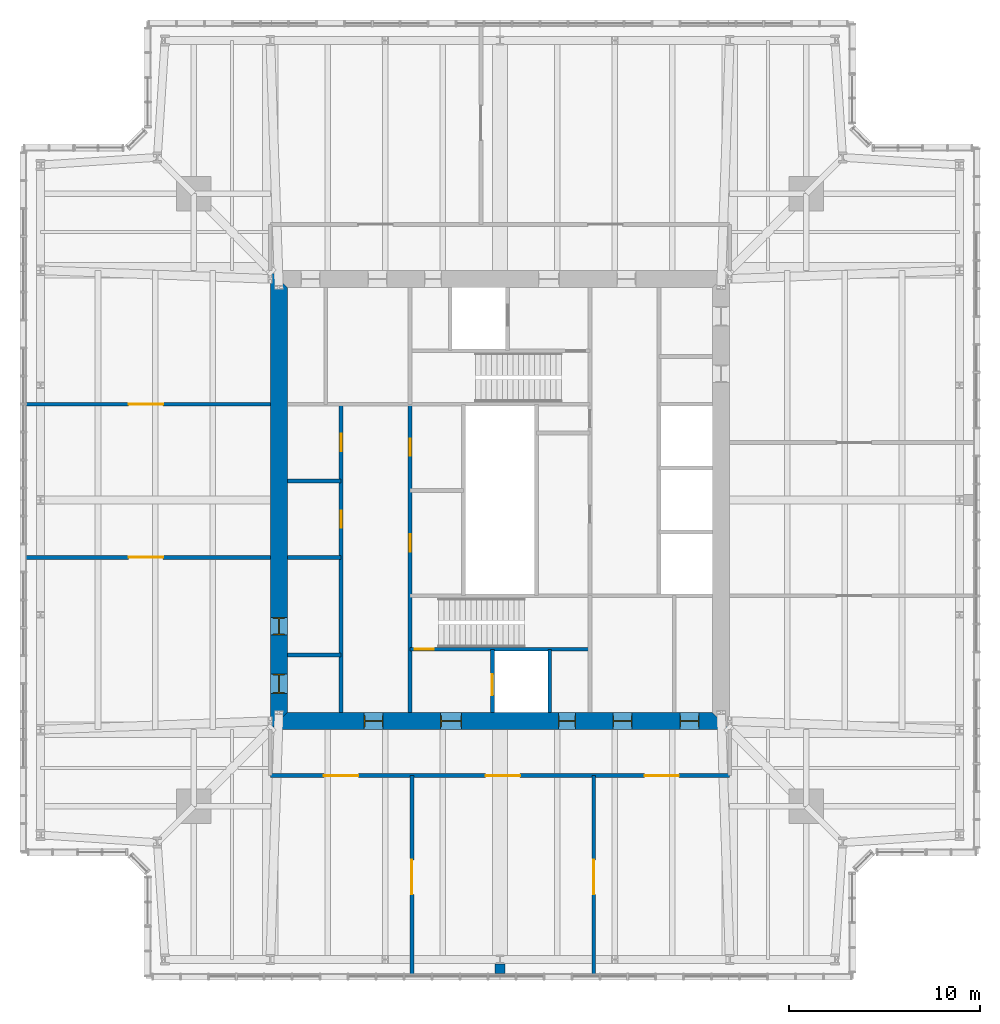
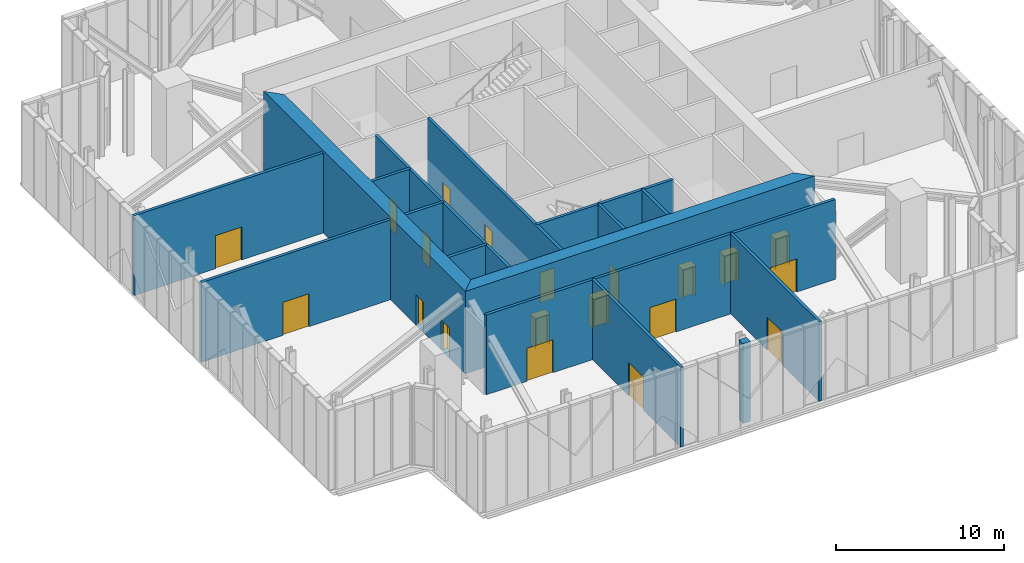
# One storey, part 11 of 18: 20 doors, 16 walls, 20 openings.
"""IFC4 building model written with IfcOpenShell, lengths in metres."""

from ifc_helpers import new_model, si_unit, direction, frame, frame_2d, origin, place, context, subcontext, project, spatial, polyline, rectangle, outline, extrude, material, layer, layer_set, type_object, element, fill, save


model = new_model("IFC4")

# Units and contexts
model_context = context("Model", 3, precision=1e-05, world=origin(), true_north=direction((0.0, 1.0)))
body_context = subcontext(model_context, "Body", "Model", "MODEL_VIEW")
ifc_project = project(units=[si_unit("LENGTHUNIT", "METRE"), si_unit("AREAUNIT", "SQUARE_METRE"), si_unit("VOLUMEUNIT", "CUBIC_METRE"), si_unit("PLANEANGLEUNIT", "RADIAN"), si_unit("MASSUNIT", "GRAM", prefix="KILO")], contexts=[model_context])

# Site, building, storey
site_placement = place(None, origin())
site = spatial("IfcSite", under=ifc_project, at=site_placement, CompositionType="ELEMENT")
building_placement = place(site_placement, origin())
building = spatial("IfcBuilding", under=site, at=building_placement, Name="Fenwick Lantern Interchange", CompositionType="ELEMENT")
storey_placement = place(building_placement, frame((0.0, 0.0, 301.800048828125)))
storey = spatial("IfcBuildingStorey", under=building, at=storey_placement, Name="L73", CompositionType="ELEMENT", Elevation=301.800048828125)

# Wall
ifc_material_1 = material(Name="Fire-rated gypsum board encasement on steel studs, 2 hour", Category="steel")
ifc_layer_1 = layer(ifc_material_1, 0.52392578125)
ifc_layer_set_1 = layer_set([ifc_layer_1], Name="COLUMN PIER 524")
wall_type_1 = type_object("IfcWallType", Name="COLUMN PIER 524", PredefinedType="PARTITIONING", material=ifc_layer_set_1)
wall_1_placement = place(storey_placement, frame((25.0, 0.27490234375, 0.0), z_axis=(0.0, 0.0, 1.0), x_axis=(0.0, 1.0, 0.0)))
element("IfcWall", 1, at=wall_1_placement, inside=storey, type_object=wall_type_1, Name="L73/W/PIER/CS3", PredefinedType="PARTITIONING", context=body_context, shape_type="SweptSolid", body=[
    extrude(rectangle(XDim=0.487548828125, YDim=0.52392578125, at=frame_2d((0.24365234375, 0.0))), origin(), (0.0, 0.0, 1.0), 5.800048828125),
])

# Wall, openings, doors
ifc_material_2 = material(Name="Concrete masonry ASTM C90 Grade N", Category="masonry")
ifc_layer_2 = layer(ifc_material_2, 0.199951171875)
ifc_layer_set_2 = layer_set([ifc_layer_2], Name="Concrete masonry ASTM C90 Grade N")
wall_type_2 = type_object("IfcWallType", Name="CORE PARTITION 200", PredefinedType="PARTITIONING", material=ifc_layer_set_2)
wall_2_placement = place(storey_placement, frame((16.699951171875, 13.89990234375, 0.0), z_axis=(0.0, 0.0, 1.0), x_axis=(0.0, 1.0, 0.0)))
wall_2 = element("IfcWall", 2, at=wall_2_placement, inside=storey, type_object=wall_type_2, Name="L73/W/CORES/a", PredefinedType="PARTITIONING", context=body_context, shape_type="SweptSolid", body=[
    extrude(rectangle(XDim=16.10009765625, YDim=0.199951171875, at=frame_2d((8.050048828125, 0.0))), origin(), (0.0, 0.0, 1.0), 5.800048828125),
])
opening_1_placement = place(wall_2_placement, frame((9.64990234375, 0.0, 0.0)))
opening_1 = element("IfcOpeningElement", 3, at=opening_1_placement, cuts=wall_2, Name="Opening L73-D009", PredefinedType="OPENING", context=body_context, shape_type="SweptSolid", body=[
    extrude(rectangle(XDim=0.89990234375, YDim=2.199951171875, at=frame_2d((0.449951171875, 1.10009765625))), frame((0.0, 0.10986328125, 0.0), z_axis=(0.0, -1.0, 0.0), x_axis=(1.0, 0.0, 0.0)), (0.0, 0.0, 1.0), 0.219970703125),
])
opening_2_placement = place(wall_2_placement, frame((13.64990234375, 0.0, 0.0)))
opening_2 = element("IfcOpeningElement", 4, at=opening_2_placement, cuts=wall_2, Name="Opening L73-D010", PredefinedType="OPENING", context=body_context, shape_type="SweptSolid", body=[
    extrude(rectangle(XDim=0.89990234375, YDim=2.199951171875, at=frame_2d((0.449951171875, 1.10009765625))), frame((0.0, 0.10986328125, 0.0), z_axis=(0.0, -1.0, 0.0), x_axis=(1.0, 0.0, 0.0)), (0.0, 0.0, 1.0), 0.219970703125),
])
ifc_material_3 = material(Name="Steel door and frame", Category="steel")
door_type_1 = type_object("IfcDoorType", Name="SERVICE DOOR 900 X 2200", OperationType="SINGLE_SWING_LEFT", PredefinedType="DOOR", material=ifc_material_3)
door_1_placement = place(opening_1_placement, origin())
door_1 = element("IfcDoor", 5, at=door_1_placement, inside=storey, type_object=door_type_1, Name="Service door", OperationType="SINGLE_SWING_LEFT", OverallHeight=2.199951171875, OverallWidth=0.89990234375, PredefinedType="DOOR", context=body_context, shape_type="SweptSolid", body=[
    extrude(rectangle(XDim=0.89990234375, YDim=2.199951171875, at=frame_2d((0.449951171875, 1.10009765625))), frame((0.0, 0.02490234375, 0.0), z_axis=(0.0, -1.0, 0.0), x_axis=(1.0, 0.0, 0.0)), (0.0, 0.0, 1.0), 0.050048828125),
])
fill(opening_1, door_1)
door_2_placement = place(opening_2_placement, origin())
door_2 = element("IfcDoor", 6, at=door_2_placement, inside=storey, type_object=door_type_1, Name="Service door", OperationType="SINGLE_SWING_LEFT", OverallHeight=2.199951171875, OverallWidth=0.89990234375, PredefinedType="DOOR", context=body_context, shape_type="SweptSolid", body=[
    extrude(rectangle(XDim=0.89990234375, YDim=2.199951171875, at=frame_2d((0.449951171875, 1.10009765625))), frame((0.0, 0.02490234375, 0.0), z_axis=(0.0, -1.0, 0.0), x_axis=(1.0, 0.0, 0.0)), (0.0, 0.0, 1.0), 0.050048828125),
])
fill(opening_2, door_2)

# Wall, opening, door
wall_3_placement = place(storey_placement, frame((24.60009765625, 13.89990234375, 0.0), z_axis=(0.0, 0.0, 1.0), x_axis=(0.0, 1.0, 0.0)))
wall_3 = element("IfcWall", 7, at=wall_3_placement, inside=storey, type_object=wall_type_2, Name="L73/W/CORES/h1", PredefinedType="PARTITIONING", context=body_context, shape_type="SweptSolid", body=[
    extrude(rectangle(XDim=3.300048828125, YDim=0.199951171875, at=frame_2d((1.64990234375, 0.0))), origin(), (0.0, 0.0, 1.0), 5.800048828125),
])
opening_3_placement = place(wall_3_placement, frame((0.89990234375, 0.0, 0.0)))
opening_3 = element("IfcOpeningElement", 8, at=opening_3_placement, cuts=wall_3, Name="Opening LD-FL1", PredefinedType="OPENING", context=body_context, shape_type="SweptSolid", body=[
    extrude(rectangle(XDim=1.10009765625, YDim=2.199951171875, at=frame_2d((0.550048828125, 1.10009765625))), frame((0.0, 0.10986328125, 0.0), z_axis=(0.0, -1.0, 0.0), x_axis=(1.0, 0.0, 0.0)), (0.0, 0.0, 1.0), 0.219970703125),
])
door_type_2 = type_object("IfcDoorType", Name="LIFT LANDING DOOR 1100 X 2200", OperationType="DOUBLE_DOOR_SLIDING", PredefinedType="DOOR", material=ifc_material_3)
door_3_placement = place(opening_3_placement, origin())
door_3 = element("IfcDoor", 9, at=door_3_placement, inside=storey, type_object=door_type_2, Name="Lift landing door FL1", OperationType="DOUBLE_DOOR_SLIDING", OverallHeight=2.199951171875, OverallWidth=1.10009765625, PredefinedType="DOOR", context=body_context, shape_type="SweptSolid", body=[
    extrude(rectangle(XDim=1.10009765625, YDim=2.199951171875, at=frame_2d((0.550048828125, 1.10009765625))), frame((0.0, 0.02490234375, 0.0), z_axis=(0.0, -1.0, 0.0), x_axis=(1.0, 0.0, 0.0)), (0.0, 0.0, 1.0), 0.050048828125),
])
fill(opening_3, door_3)

# Walls
wall_4_placement = place(storey_placement, frame((27.60009765625, 13.89990234375, 0.0), z_axis=(0.0, 0.0, 1.0), x_axis=(0.0, 1.0, 0.0)))
element("IfcWall", 10, at=wall_4_placement, inside=storey, type_object=wall_type_2, Name="L73/W/CORES/h2", PredefinedType="PARTITIONING", context=body_context, shape_type="SweptSolid", body=[
    extrude(rectangle(XDim=3.300048828125, YDim=0.199951171875, at=frame_2d((1.64990234375, 0.0))), origin(), (0.0, 0.0, 1.0), 5.800048828125),
])
for number, where, z_axis, x_axis, name in (
    (11, (13.89990234375, 16.89990234375, 0.0), (0.0, 0.0, 1.0), (1.0, 0.0, 0.0), "L73/W/CORES/p1"),
    (12, (13.89990234375, 22.0, 0.0), (0.0, 0.0, 1.0), (1.0, 0.0, 0.0), "L73/W/CORES/p2"),
    (13, (13.89990234375, 26.0, 0.0), (0.0, 0.0, 1.0), (1.0, 0.0, 0.0), "L73/W/CORES/p3"),
):
    element("IfcWall", number, at=place(storey_placement, frame(where, z_axis=z_axis, x_axis=x_axis)), inside=storey, type_object=wall_type_2, Name=name, PredefinedType="PARTITIONING", context=body_context, shape_type="SweptSolid", body=[
        extrude(rectangle(XDim=2.800048828125, YDim=0.199951171875, at=frame_2d((1.39990234375, 0.0))), origin(), (0.0, 0.0, 1.0), 5.800048828125),
    ])

# Wall, openings, doors
ifc_material_4 = material(Name="Concrete f'c 70 MPa", Category="concrete")
ifc_layer_3 = layer(ifc_material_4, 0.89990234375)
ifc_layer_set_3 = layer_set([ifc_layer_3], Name="CORE WALL 900")
wall_type_3 = type_object("IfcWallType", Name="CORE WALL 900", PredefinedType="SHEAR", material=ifc_layer_set_3)
wall_5_placement = place(storey_placement, frame((13.0, 13.449951171875, 0.0), z_axis=(0.0, 0.0, 1.0), x_axis=(1.0, 0.0, 0.0)))
wall_5 = element("IfcWall", 14, at=wall_5_placement, inside=storey, type_object=wall_type_3, Name="L73/CORE/S", PredefinedType="SHEAR", context=body_context, shape_type="SweptSolid", body=[
    extrude(outline(polyline([(0.0, -0.449951171875), (24.0, -0.449951171875), (23.10009765625, 0.449951171875), (0.89990234375, 0.449951171875), (0.0, -0.449951171875)])), origin(), (0.0, 0.0, 1.0), 6.0),
])
opening_4_placement = place(wall_5_placement, frame((4.89990234375, 0.0, 0.0)))
opening_4 = element("IfcOpeningElement", 15, at=opening_4_placement, cuts=wall_5, Name="Opening L73-D001", PredefinedType="OPENING", context=body_context, shape_type="SweptSolid", body=[
    extrude(rectangle(XDim=1.0, YDim=2.199951171875, at=frame_2d((0.5, 1.10009765625))), frame((0.0, 0.4599609375, 0.0), z_axis=(0.0, -1.0, 0.0), x_axis=(1.0, 0.0, 0.0)), (0.0, 0.0, 1.0), 0.919921875),
])
opening_5_placement = place(wall_5_placement, frame((8.89990234375, 0.0, 0.0)))
opening_5 = element("IfcOpeningElement", 16, at=opening_5_placement, cuts=wall_5, Name="Opening L73-D002", PredefinedType="OPENING", context=body_context, shape_type="SweptSolid", body=[
    extrude(rectangle(XDim=1.10009765625, YDim=2.199951171875, at=frame_2d((0.550048828125, 1.10009765625))), frame((0.0, 0.4599609375, 0.0), z_axis=(0.0, -1.0, 0.0), x_axis=(1.0, 0.0, 0.0)), (0.0, 0.0, 1.0), 0.919921875),
])
opening_6_placement = place(wall_5_placement, frame((15.050048828125, 0.0, 0.0)))
opening_6 = element("IfcOpeningElement", 17, at=opening_6_placement, cuts=wall_5, Name="Opening L73-D004", PredefinedType="OPENING", context=body_context, shape_type="SweptSolid", body=[
    extrude(rectangle(XDim=0.89990234375, YDim=2.199951171875, at=frame_2d((0.449951171875, 1.10009765625))), frame((0.0, 0.4599609375, 0.0), z_axis=(0.0, -1.0, 0.0), x_axis=(1.0, 0.0, 0.0)), (0.0, 0.0, 1.0), 0.919921875),
])
opening_7_placement = place(wall_5_placement, frame((17.89990234375, 0.0, 0.0)))
opening_7 = element("IfcOpeningElement", 18, at=opening_7_placement, cuts=wall_5, Name="Opening L73-D005", PredefinedType="OPENING", context=body_context, shape_type="SweptSolid", body=[
    extrude(rectangle(XDim=1.0, YDim=2.199951171875, at=frame_2d((0.5, 1.10009765625))), frame((0.0, 0.4599609375, 0.0), z_axis=(0.0, -1.0, 0.0), x_axis=(1.0, 0.0, 0.0)), (0.0, 0.0, 1.0), 0.919921875),
])
opening_8_placement = place(wall_5_placement, frame((21.39990234375, 0.0, 0.0)))
opening_8 = element("IfcOpeningElement", 19, at=opening_8_placement, cuts=wall_5, Name="Opening L73-D006", PredefinedType="OPENING", context=body_context, shape_type="SweptSolid", body=[
    extrude(rectangle(XDim=1.0, YDim=2.199951171875, at=frame_2d((0.5, 1.10009765625))), frame((0.0, 0.4599609375, 0.0), z_axis=(0.0, -1.0, 0.0), x_axis=(1.0, 0.0, 0.0)), (0.0, 0.0, 1.0), 0.919921875),
])
door_type_3 = type_object("IfcDoorType", Name="CORE LOBBY DOOR 1000 X 2200", OperationType="SINGLE_SWING_LEFT", PredefinedType="DOOR", material=ifc_material_3)
door_4_placement = place(opening_4_placement, origin())
door_4 = element("IfcDoor", 20, at=door_4_placement, inside=storey, type_object=door_type_3, Name="Core lobby door", OperationType="SINGLE_SWING_LEFT", OverallHeight=2.199951171875, OverallWidth=1.0, PredefinedType="DOOR", context=body_context, shape_type="SweptSolid", body=[
    extrude(rectangle(XDim=1.0, YDim=2.199951171875, at=frame_2d((0.5, 1.10009765625))), frame((0.0, 0.02490234375, 0.0), z_axis=(0.0, -1.0, 0.0), x_axis=(1.0, 0.0, 0.0)), (0.0, 0.0, 1.0), 0.050048828125),
    extrude(outline(polyline([(0.0, 0.0), (0.0400390625, 0.0), (0.0400390625, 2.159912109375), (0.9599609375, 2.159912109375), (0.9599609375, 0.0), (1.0, 0.0), (1.0, 2.199951171875), (0.0, 2.199951171875), (0.0, 0.0)])), frame((0.0, 0.300048828125, 0.0), z_axis=(0.0, -1.0, 0.0), x_axis=(1.0, 0.0, 0.0)), (0.0, 0.0, 1.0), 0.60009765625),
])
fill(opening_4, door_4)
door_type_4 = type_object("IfcDoorType", Name="FIRE LOBBY DOOR 1100 X 2200", OperationType="SINGLE_SWING_LEFT", PredefinedType="DOOR", material=ifc_material_3)
door_5_placement = place(opening_5_placement, origin())
door_5 = element("IfcDoor", 21, at=door_5_placement, inside=storey, type_object=door_type_4, Name="Fire lobby door", OperationType="SINGLE_SWING_LEFT", OverallHeight=2.199951171875, OverallWidth=1.10009765625, PredefinedType="DOOR", context=body_context, shape_type="SweptSolid", body=[
    extrude(rectangle(XDim=1.10009765625, YDim=2.199951171875, at=frame_2d((0.550048828125, 1.10009765625))), frame((0.0, 0.02490234375, 0.0), z_axis=(0.0, -1.0, 0.0), x_axis=(1.0, 0.0, 0.0)), (0.0, 0.0, 1.0), 0.050048828125),
    extrude(outline(polyline([(0.0, 0.0), (0.0400390625, 0.0), (0.0400390625, 2.159912109375), (1.06005859375, 2.159912109375), (1.06005859375, 0.0), (1.10009765625, 0.0), (1.10009765625, 2.199951171875), (0.0, 2.199951171875), (0.0, 0.0)])), frame((0.0, 0.300048828125, 0.0), z_axis=(0.0, -1.0, 0.0), x_axis=(1.0, 0.0, 0.0)), (0.0, 0.0, 1.0), 0.60009765625),
])
fill(opening_5, door_5)
door_6_placement = place(opening_6_placement, origin())
door_6 = element("IfcDoor", 22, at=door_6_placement, inside=storey, type_object=door_type_1, Name="Service door", OperationType="SINGLE_SWING_LEFT", OverallHeight=2.199951171875, OverallWidth=0.89990234375, PredefinedType="DOOR", context=body_context, shape_type="SweptSolid", body=[
    extrude(rectangle(XDim=0.89990234375, YDim=2.199951171875, at=frame_2d((0.449951171875, 1.10009765625))), frame((0.0, 0.02490234375, 0.0), z_axis=(0.0, -1.0, 0.0), x_axis=(1.0, 0.0, 0.0)), (0.0, 0.0, 1.0), 0.050048828125),
    extrude(outline(polyline([(0.0, 0.0), (0.0400390625, 0.0), (0.0400390625, 2.159912109375), (0.85986328125, 2.159912109375), (0.85986328125, 0.0), (0.89990234375, 0.0), (0.89990234375, 2.199951171875), (0.0, 2.199951171875), (0.0, 0.0)])), frame((0.0, 0.300048828125, 0.0), z_axis=(0.0, -1.0, 0.0), x_axis=(1.0, 0.0, 0.0)), (0.0, 0.0, 1.0), 0.60009765625),
])
fill(opening_6, door_6)
ifc_material_5 = material(Name="Hardwood door and steel frame", Category="steel")
door_type_5 = type_object("IfcDoorType", Name="WC DOOR 1000 X 2200", OperationType="SINGLE_SWING_LEFT", PredefinedType="DOOR", material=ifc_material_5)
door_7_placement = place(opening_7_placement, origin())
door_7 = element("IfcDoor", 23, at=door_7_placement, inside=storey, type_object=door_type_5, Name="Wc door", OperationType="SINGLE_SWING_LEFT", OverallHeight=2.199951171875, OverallWidth=1.0, PredefinedType="DOOR", context=body_context, shape_type="SweptSolid", body=[
    extrude(rectangle(XDim=1.0, YDim=2.199951171875, at=frame_2d((0.5, 1.10009765625))), frame((0.0, 0.02490234375, 0.0), z_axis=(0.0, -1.0, 0.0), x_axis=(1.0, 0.0, 0.0)), (0.0, 0.0, 1.0), 0.050048828125),
    extrude(outline(polyline([(0.0, 0.0), (0.0400390625, 0.0), (0.0400390625, 2.159912109375), (0.9599609375, 2.159912109375), (0.9599609375, 0.0), (1.0, 0.0), (1.0, 2.199951171875), (0.0, 2.199951171875), (0.0, 0.0)])), frame((0.0, 0.300048828125, 0.0), z_axis=(0.0, -1.0, 0.0), x_axis=(1.0, 0.0, 0.0)), (0.0, 0.0, 1.0), 0.60009765625),
])
fill(opening_7, door_7)
door_8_placement = place(opening_8_placement, origin())
door_8 = element("IfcDoor", 24, at=door_8_placement, inside=storey, type_object=door_type_5, Name="Wc door", OperationType="SINGLE_SWING_LEFT", OverallHeight=2.199951171875, OverallWidth=1.0, PredefinedType="DOOR", context=body_context, shape_type="SweptSolid", body=[
    extrude(rectangle(XDim=1.0, YDim=2.199951171875, at=frame_2d((0.5, 1.10009765625))), frame((0.0, 0.02490234375, 0.0), z_axis=(0.0, -1.0, 0.0), x_axis=(1.0, 0.0, 0.0)), (0.0, 0.0, 1.0), 0.050048828125),
    extrude(outline(polyline([(0.0, 0.0), (0.0400390625, 0.0), (0.0400390625, 2.159912109375), (0.9599609375, 2.159912109375), (0.9599609375, 0.0), (1.0, 0.0), (1.0, 2.199951171875), (0.0, 2.199951171875), (0.0, 0.0)])), frame((0.0, 0.300048828125, 0.0), z_axis=(0.0, -1.0, 0.0), x_axis=(1.0, 0.0, 0.0)), (0.0, 0.0, 1.0), 0.60009765625),
])
fill(opening_8, door_8)

wall_6_placement = place(storey_placement, frame((13.449951171875, 36.10009765625, 0.0), z_axis=(0.0, 0.0, 1.0), x_axis=(0.0, -1.0, 0.0)))
wall_6 = element("IfcWall", 25, at=wall_6_placement, inside=storey, type_object=wall_type_3, Name="L73/CORE/W", PredefinedType="SHEAR", context=body_context, shape_type="SweptSolid", body=[
    extrude(outline(polyline([(-0.89990234375, -0.449951171875), (23.10009765625, -0.449951171875), (22.199951171875, 0.449951171875), (0.0, 0.449951171875), (-0.89990234375, -0.449951171875)])), origin(), (0.0, 0.0, 1.0), 6.0),
])
opening_9_placement = place(wall_6_placement, frame((20.199951171875, 0.0, 0.0)))
opening_9 = element("IfcOpeningElement", 26, at=opening_9_placement, cuts=wall_6, Name="Opening L73-D007", PredefinedType="OPENING", context=body_context, shape_type="SweptSolid", body=[
    extrude(rectangle(XDim=1.0, YDim=2.199951171875, at=frame_2d((0.5, 1.10009765625))), frame((0.0, 0.4599609375, 0.0), z_axis=(0.0, -1.0, 0.0), x_axis=(1.0, 0.0, 0.0)), (0.0, 0.0, 1.0), 0.919921875),
])
opening_10_placement = place(wall_6_placement, frame((17.25, 0.0, 0.0)))
opening_10 = element("IfcOpeningElement", 27, at=opening_10_placement, cuts=wall_6, Name="Opening L73-D008", PredefinedType="OPENING", context=body_context, shape_type="SweptSolid", body=[
    extrude(rectangle(XDim=0.89990234375, YDim=2.199951171875, at=frame_2d((0.449951171875, 1.10009765625))), frame((0.0, 0.4599609375, 0.0), z_axis=(0.0, -1.0, 0.0), x_axis=(1.0, 0.0, 0.0)), (0.0, 0.0, 1.0), 0.919921875),
])
door_9_placement = place(opening_10_placement, origin())
door_9 = element("IfcDoor", 28, at=door_9_placement, inside=storey, type_object=door_type_1, Name="Service door", OperationType="SINGLE_SWING_RIGHT", OverallHeight=2.199951171875, OverallWidth=0.89990234375, PredefinedType="DOOR", context=body_context, shape_type="SweptSolid", body=[
    extrude(rectangle(XDim=0.89990234375, YDim=2.199951171875, at=frame_2d((0.449951171875, 1.10009765625))), frame((0.0, 0.02490234375, 0.0), z_axis=(0.0, -1.0, 0.0), x_axis=(1.0, 0.0, 0.0)), (0.0, 0.0, 1.0), 0.050048828125),
    extrude(outline(polyline([(0.0, 0.0), (0.0400390625, 0.0), (0.0400390625, 2.159912109375), (0.85986328125, 2.159912109375), (0.85986328125, 0.0), (0.89990234375, 0.0), (0.89990234375, 2.199951171875), (0.0, 2.199951171875), (0.0, 0.0)])), frame((0.0, 0.300048828125, 0.0), z_axis=(0.0, -1.0, 0.0), x_axis=(1.0, 0.0, 0.0)), (0.0, 0.0, 1.0), 0.60009765625),
])
fill(opening_10, door_9)
door_10_placement = place(opening_9_placement, origin())
door_10 = element("IfcDoor", 29, at=door_10_placement, inside=storey, type_object=door_type_5, Name="Wc door", OperationType="SINGLE_SWING_LEFT", OverallHeight=2.199951171875, OverallWidth=1.0, PredefinedType="DOOR", context=body_context, shape_type="SweptSolid", body=[
    extrude(rectangle(XDim=1.0, YDim=2.199951171875, at=frame_2d((0.5, 1.10009765625))), frame((0.0, 0.02490234375, 0.0), z_axis=(0.0, -1.0, 0.0), x_axis=(1.0, 0.0, 0.0)), (0.0, 0.0, 1.0), 0.050048828125),
    extrude(outline(polyline([(0.0, 0.0), (0.0400390625, 0.0), (0.0400390625, 2.159912109375), (0.9599609375, 2.159912109375), (0.9599609375, 0.0), (1.0, 0.0), (1.0, 2.199951171875), (0.0, 2.199951171875), (0.0, 0.0)])), frame((0.0, 0.300048828125, 0.0), z_axis=(0.0, -1.0, 0.0), x_axis=(1.0, 0.0, 0.0)), (0.0, 0.0, 1.0), 0.60009765625),
])
fill(opening_9, door_10)

ifc_layer_4 = layer(ifc_material_2, 0.199951171875)
ifc_layer_set_4 = layer_set([ifc_layer_4], Name="Concrete masonry ASTM C90 Grade N")
wall_type_4 = type_object("IfcWallType", Name="PLANT ROOM WALL 200", PredefinedType="PARTITIONING", material=ifc_layer_set_4)
wall_7_placement = place(storey_placement, frame((13.0, 10.60009765625, 0.0), z_axis=(0.0, 0.0, 1.0), x_axis=(1.0, 0.0, 0.0)))
wall_7 = element("IfcWall", 30, at=wall_7_placement, inside=storey, type_object=wall_type_4, Name="L73/W/FLOOR/PCS-W", PredefinedType="PARTITIONING", context=body_context, shape_type="SweptSolid", body=[
    extrude(rectangle(XDim=24.0, YDim=0.199951171875, at=frame_2d((12.0, 0.0))), origin(), (0.0, 0.0, 1.0), 5.800048828125),
])
opening_11_placement = place(wall_7_placement, frame((2.800048828125, 0.0, 0.0)))
opening_11 = element("IfcOpeningElement", 31, at=opening_11_placement, cuts=wall_7, Name="Opening L73-D030", PredefinedType="OPENING", context=body_context, shape_type="SweptSolid", body=[
    extrude(rectangle(XDim=1.800048828125, YDim=2.39990234375, at=frame_2d((0.89990234375, 1.199951171875))), frame((0.0, 0.10986328125, 0.0), z_axis=(0.0, -1.0, 0.0), x_axis=(1.0, 0.0, 0.0)), (0.0, 0.0, 1.0), 0.219970703125),
])
opening_12_placement = place(wall_7_placement, frame((11.25, 0.0, 0.0)))
opening_12 = element("IfcOpeningElement", 32, at=opening_12_placement, cuts=wall_7, Name="Opening L73-D031", PredefinedType="OPENING", context=body_context, shape_type="SweptSolid", body=[
    extrude(rectangle(XDim=1.800048828125, YDim=2.39990234375, at=frame_2d((0.89990234375, 1.199951171875))), frame((0.0, 0.10986328125, 0.0), z_axis=(0.0, -1.0, 0.0), x_axis=(1.0, 0.0, 0.0)), (0.0, 0.0, 1.0), 0.219970703125),
])
opening_13_placement = place(wall_7_placement, frame((19.550048828125, 0.0, 0.0)))
opening_13 = element("IfcOpeningElement", 33, at=opening_13_placement, cuts=wall_7, Name="Opening L73-D032", PredefinedType="OPENING", context=body_context, shape_type="SweptSolid", body=[
    extrude(rectangle(XDim=1.800048828125, YDim=2.39990234375, at=frame_2d((0.89990234375, 1.199951171875))), frame((0.0, 0.10986328125, 0.0), z_axis=(0.0, -1.0, 0.0), x_axis=(1.0, 0.0, 0.0)), (0.0, 0.0, 1.0), 0.219970703125),
])
door_type_6 = type_object("IfcDoorType", Name="ROOM DOOR PAIR 1800 X 2400", OperationType="DOUBLE_DOOR_SINGLE_SWING", PredefinedType="DOOR", material=ifc_material_3)
door_11_placement = place(opening_11_placement, origin())
door_11 = element("IfcDoor", 34, at=door_11_placement, inside=storey, type_object=door_type_6, Name="Room door pair", OperationType="DOUBLE_DOOR_SINGLE_SWING", OverallHeight=2.39990234375, OverallWidth=1.800048828125, PredefinedType="DOOR", context=body_context, shape_type="SweptSolid", body=[
    extrude(rectangle(XDim=1.800048828125, YDim=2.39990234375, at=frame_2d((0.89990234375, 1.199951171875))), frame((0.0, 0.02490234375, 0.0), z_axis=(0.0, -1.0, 0.0), x_axis=(1.0, 0.0, 0.0)), (0.0, 0.0, 1.0), 0.050048828125),
])
fill(opening_11, door_11)
door_12_placement = place(opening_12_placement, origin())
door_12 = element("IfcDoor", 35, at=door_12_placement, inside=storey, type_object=door_type_6, Name="Room door pair", OperationType="DOUBLE_DOOR_SINGLE_SWING", OverallHeight=2.39990234375, OverallWidth=1.800048828125, PredefinedType="DOOR", context=body_context, shape_type="SweptSolid", body=[
    extrude(rectangle(XDim=1.800048828125, YDim=2.39990234375, at=frame_2d((0.89990234375, 1.199951171875))), frame((0.0, 0.02490234375, 0.0), z_axis=(0.0, -1.0, 0.0), x_axis=(1.0, 0.0, 0.0)), (0.0, 0.0, 1.0), 0.050048828125),
])
fill(opening_12, door_12)
door_13_placement = place(opening_13_placement, origin())
door_13 = element("IfcDoor", 36, at=door_13_placement, inside=storey, type_object=door_type_6, Name="Room door pair", OperationType="DOUBLE_DOOR_SINGLE_SWING", OverallHeight=2.39990234375, OverallWidth=1.800048828125, PredefinedType="DOOR", context=body_context, shape_type="SweptSolid", body=[
    extrude(rectangle(XDim=1.800048828125, YDim=2.39990234375, at=frame_2d((0.89990234375, 1.199951171875))), frame((0.0, 0.02490234375, 0.0), z_axis=(0.0, -1.0, 0.0), x_axis=(1.0, 0.0, 0.0)), (0.0, 0.0, 1.0), 0.050048828125),
])
fill(opening_13, door_13)

# Wall, opening, door
wall_8_placement = place(storey_placement, frame((20.39990234375, 0.0, 0.0), z_axis=(0.0, 0.0, 1.0), x_axis=(0.0, 1.0, 0.0)))
wall_8 = element("IfcWall", 37, at=wall_8_placement, inside=storey, type_object=wall_type_4, Name="L73/W/FLOOR/PW1", PredefinedType="PARTITIONING", context=body_context, shape_type="SweptSolid", body=[
    extrude(rectangle(XDim=10.60009765625, YDim=0.199951171875, at=frame_2d((5.300048828125, 0.0))), origin(), (0.0, 0.0, 1.0), 5.800048828125),
])
opening_14_placement = place(wall_8_placement, frame((4.39990234375, 0.0, 0.0)))
opening_14 = element("IfcOpeningElement", 38, at=opening_14_placement, cuts=wall_8, Name="Opening L73-D023", PredefinedType="OPENING", context=body_context, shape_type="SweptSolid", body=[
    extrude(rectangle(XDim=1.800048828125, YDim=2.39990234375, at=frame_2d((0.89990234375, 1.199951171875))), frame((0.0, 0.10986328125, 0.0), z_axis=(0.0, -1.0, 0.0), x_axis=(1.0, 0.0, 0.0)), (0.0, 0.0, 1.0), 0.219970703125),
])
door_14_placement = place(opening_14_placement, frame((1.800048828125, 0.0, 0.0), z_axis=(0.0, 0.0, 1.0), x_axis=(-1.0, 0.0, 0.0)))
door_14 = element("IfcDoor", 39, at=door_14_placement, inside=storey, type_object=door_type_6, Name="Room door pair", OperationType="DOUBLE_DOOR_SINGLE_SWING", OverallHeight=2.39990234375, OverallWidth=1.800048828125, PredefinedType="DOOR", context=body_context, shape_type="SweptSolid", body=[
    extrude(rectangle(XDim=1.800048828125, YDim=2.39990234375, at=frame_2d((0.89990234375, 1.199951171875))), frame((0.0, 0.02490234375, 0.0), z_axis=(0.0, -1.0, 0.0), x_axis=(1.0, 0.0, 0.0)), (0.0, 0.0, 1.0), 0.050048828125),
])
fill(opening_14, door_14)

wall_9_placement = place(storey_placement, frame((29.89990234375, 0.0, 0.0), z_axis=(0.0, 0.0, 1.0), x_axis=(0.0, 1.0, 0.0)))
wall_9 = element("IfcWall", 40, at=wall_9_placement, inside=storey, type_object=wall_type_4, Name="L73/W/FLOOR/PW2", PredefinedType="PARTITIONING", context=body_context, shape_type="SweptSolid", body=[
    extrude(rectangle(XDim=10.60009765625, YDim=0.199951171875, at=frame_2d((5.300048828125, 0.0))), origin(), (0.0, 0.0, 1.0), 5.800048828125),
])
opening_15_placement = place(wall_9_placement, frame((4.39990234375, 0.0, 0.0)))
opening_15 = element("IfcOpeningElement", 41, at=opening_15_placement, cuts=wall_9, Name="Opening L73-D024", PredefinedType="OPENING", context=body_context, shape_type="SweptSolid", body=[
    extrude(rectangle(XDim=1.800048828125, YDim=2.39990234375, at=frame_2d((0.89990234375, 1.199951171875))), frame((0.0, 0.10986328125, 0.0), z_axis=(0.0, -1.0, 0.0), x_axis=(1.0, 0.0, 0.0)), (0.0, 0.0, 1.0), 0.219970703125),
])
door_15_placement = place(opening_15_placement, origin())
door_15 = element("IfcDoor", 42, at=door_15_placement, inside=storey, type_object=door_type_6, Name="Room door pair", OperationType="DOUBLE_DOOR_SINGLE_SWING", OverallHeight=2.39990234375, OverallWidth=1.800048828125, PredefinedType="DOOR", context=body_context, shape_type="SweptSolid", body=[
    extrude(rectangle(XDim=1.800048828125, YDim=2.39990234375, at=frame_2d((0.89990234375, 1.199951171875))), frame((0.0, 0.02490234375, 0.0), z_axis=(0.0, -1.0, 0.0), x_axis=(1.0, 0.0, 0.0)), (0.0, 0.0, 1.0), 0.050048828125),
])
fill(opening_15, door_15)

wall_10_placement = place(storey_placement, frame((0.0, 22.0, 0.0), z_axis=(0.0, 0.0, 1.0), x_axis=(1.0, 0.0, 0.0)))
wall_10 = element("IfcWall", 43, at=wall_10_placement, inside=storey, type_object=wall_type_4, Name="L73/W/FLOOR/PW6", PredefinedType="PARTITIONING", context=body_context, shape_type="SweptSolid", body=[
    extrude(rectangle(XDim=13.0, YDim=0.199951171875, at=frame_2d((6.5, 0.0))), origin(), (0.0, 0.0, 1.0), 5.800048828125),
])
opening_16_placement = place(wall_10_placement, frame((5.60009765625, 0.0, 0.0)))
opening_16 = element("IfcOpeningElement", 44, at=opening_16_placement, cuts=wall_10, Name="Opening L73-D028", PredefinedType="OPENING", context=body_context, shape_type="SweptSolid", body=[
    extrude(rectangle(XDim=1.800048828125, YDim=2.39990234375, at=frame_2d((0.89990234375, 1.199951171875))), frame((0.0, 0.10986328125, 0.0), z_axis=(0.0, -1.0, 0.0), x_axis=(1.0, 0.0, 0.0)), (0.0, 0.0, 1.0), 0.219970703125),
])
door_16_placement = place(opening_16_placement, origin())
door_16 = element("IfcDoor", 45, at=door_16_placement, inside=storey, type_object=door_type_6, Name="Room door pair", OperationType="DOUBLE_DOOR_SINGLE_SWING", OverallHeight=2.39990234375, OverallWidth=1.800048828125, PredefinedType="DOOR", context=body_context, shape_type="SweptSolid", body=[
    extrude(rectangle(XDim=1.800048828125, YDim=2.39990234375, at=frame_2d((0.89990234375, 1.199951171875))), frame((0.0, 0.02490234375, 0.0), z_axis=(0.0, -1.0, 0.0), x_axis=(1.0, 0.0, 0.0)), (0.0, 0.0, 1.0), 0.050048828125),
])
fill(opening_16, door_16)

wall_11_placement = place(storey_placement, frame((0.0, 30.0, 0.0), z_axis=(0.0, 0.0, 1.0), x_axis=(1.0, 0.0, 0.0)))
wall_11 = element("IfcWall", 46, at=wall_11_placement, inside=storey, type_object=wall_type_4, Name="L73/W/FLOOR/PW7", PredefinedType="PARTITIONING", context=body_context, shape_type="SweptSolid", body=[
    extrude(rectangle(XDim=13.0, YDim=0.199951171875, at=frame_2d((6.5, 0.0))), origin(), (0.0, 0.0, 1.0), 5.800048828125),
])
opening_17_placement = place(wall_11_placement, frame((5.60009765625, 0.0, 0.0)))
opening_17 = element("IfcOpeningElement", 47, at=opening_17_placement, cuts=wall_11, Name="Opening L73-D029", PredefinedType="OPENING", context=body_context, shape_type="SweptSolid", body=[
    extrude(rectangle(XDim=1.800048828125, YDim=2.39990234375, at=frame_2d((0.89990234375, 1.199951171875))), frame((0.0, 0.10986328125, 0.0), z_axis=(0.0, -1.0, 0.0), x_axis=(1.0, 0.0, 0.0)), (0.0, 0.0, 1.0), 0.219970703125),
])
door_17_placement = place(opening_17_placement, frame((1.800048828125, 0.0, 0.0), z_axis=(0.0, 0.0, 1.0), x_axis=(-1.0, 0.0, 0.0)))
door_17 = element("IfcDoor", 48, at=door_17_placement, inside=storey, type_object=door_type_6, Name="Room door pair", OperationType="DOUBLE_DOOR_SINGLE_SWING", OverallHeight=2.39990234375, OverallWidth=1.800048828125, PredefinedType="DOOR", context=body_context, shape_type="SweptSolid", body=[
    extrude(rectangle(XDim=1.800048828125, YDim=2.39990234375, at=frame_2d((0.89990234375, 1.199951171875))), frame((0.0, 0.02490234375, 0.0), z_axis=(0.0, -1.0, 0.0), x_axis=(1.0, 0.0, 0.0)), (0.0, 0.0, 1.0), 0.050048828125),
])
fill(opening_17, door_17)

# Wall, openings, doors
ifc_material_6 = material(Name="Concrete f'c 45 MPa", Category="concrete")
ifc_layer_5 = layer(ifc_material_6, 0.199951171875)
ifc_layer_set_5 = layer_set([ifc_layer_5], Name="STAIR CORE WALL 200")
wall_type_5 = type_object("IfcWallType", Name="STAIR CORE WALL 200", PredefinedType="SOLIDWALL", material=ifc_layer_set_5)
wall_12_placement = place(storey_placement, frame((20.300048828125, 13.89990234375, 0.0), z_axis=(0.0, 0.0, 1.0), x_axis=(0.0, 1.0, 0.0)))
wall_12 = element("IfcWall", 49, at=wall_12_placement, inside=storey, type_object=wall_type_5, Name="L73/W/CORES/b", PredefinedType="SOLIDWALL", context=body_context, shape_type="SweptSolid", body=[
    extrude(rectangle(XDim=16.10009765625, YDim=0.199951171875, at=frame_2d((8.050048828125, 0.0))), origin(), (0.0, 0.0, 1.0), 5.800048828125),
])
opening_18_placement = place(wall_12_placement, frame((8.39990234375, 0.0, 0.0)))
opening_18 = element("IfcOpeningElement", 50, at=opening_18_placement, cuts=wall_12, Name="Opening L73-D011", PredefinedType="OPENING", context=body_context, shape_type="SweptSolid", body=[
    extrude(rectangle(XDim=0.89990234375, YDim=2.199951171875, at=frame_2d((0.449951171875, 1.10009765625))), frame((0.0, 0.10986328125, 0.0), z_axis=(0.0, -1.0, 0.0), x_axis=(1.0, 0.0, 0.0)), (0.0, 0.0, 1.0), 0.219970703125),
])
opening_19_placement = place(wall_12_placement, frame((13.39990234375, 0.0, 0.0)))
opening_19 = element("IfcOpeningElement", 51, at=opening_19_placement, cuts=wall_12, Name="Opening L73-D012", PredefinedType="OPENING", context=body_context, shape_type="SweptSolid", body=[
    extrude(rectangle(XDim=0.89990234375, YDim=2.199951171875, at=frame_2d((0.449951171875, 1.10009765625))), frame((0.0, 0.10986328125, 0.0), z_axis=(0.0, -1.0, 0.0), x_axis=(1.0, 0.0, 0.0)), (0.0, 0.0, 1.0), 0.219970703125),
])
door_18_placement = place(opening_18_placement, frame((0.89990234375, 0.0, 0.0), z_axis=(0.0, 0.0, 1.0), x_axis=(-1.0, 0.0, 0.0)))
door_18 = element("IfcDoor", 52, at=door_18_placement, inside=storey, type_object=door_type_1, Name="Service door", OperationType="SINGLE_SWING_RIGHT", OverallHeight=2.199951171875, OverallWidth=0.89990234375, PredefinedType="DOOR", context=body_context, shape_type="SweptSolid", body=[
    extrude(rectangle(XDim=0.89990234375, YDim=2.199951171875, at=frame_2d((0.449951171875, 1.10009765625))), frame((0.0, 0.02490234375, 0.0), z_axis=(0.0, -1.0, 0.0), x_axis=(1.0, 0.0, 0.0)), (0.0, 0.0, 1.0), 0.050048828125),
])
fill(opening_18, door_18)
door_19_placement = place(opening_19_placement, frame((0.89990234375, 0.0, 0.0), z_axis=(0.0, 0.0, 1.0), x_axis=(-1.0, 0.0, 0.0)))
door_19 = element("IfcDoor", 53, at=door_19_placement, inside=storey, type_object=door_type_1, Name="Service door", OperationType="SINGLE_SWING_RIGHT", OverallHeight=2.199951171875, OverallWidth=0.89990234375, PredefinedType="DOOR", context=body_context, shape_type="SweptSolid", body=[
    extrude(rectangle(XDim=0.89990234375, YDim=2.199951171875, at=frame_2d((0.449951171875, 1.10009765625))), frame((0.0, 0.02490234375, 0.0), z_axis=(0.0, -1.0, 0.0), x_axis=(1.0, 0.0, 0.0)), (0.0, 0.0, 1.0), 0.050048828125),
])
fill(opening_19, door_19)

# Wall, opening, door
wall_13_placement = place(storey_placement, frame((20.300048828125, 17.199951171875, 0.0), z_axis=(0.0, 0.0, 1.0), x_axis=(1.0, 0.0, 0.0)))
wall_13 = element("IfcWall", 54, at=wall_13_placement, inside=storey, type_object=wall_type_5, Name="L73/W/CORES/g1", PredefinedType="SOLIDWALL", context=body_context, shape_type="SweptSolid", body=[
    extrude(rectangle(XDim=9.39990234375, YDim=0.199951171875, at=frame_2d((4.699951171875, 0.0))), origin(), (0.0, 0.0, 1.0), 5.800048828125),
])
opening_20_placement = place(wall_13_placement, frame((0.25, 0.0, 0.0)))
opening_20 = element("IfcOpeningElement", 55, at=opening_20_placement, cuts=wall_13, Name="Opening L73-D003", PredefinedType="OPENING", context=body_context, shape_type="SweptSolid", body=[
    extrude(rectangle(XDim=1.0, YDim=2.199951171875, at=frame_2d((0.5, 1.10009765625))), frame((0.0, 0.10986328125, 0.0), z_axis=(0.0, -1.0, 0.0), x_axis=(1.0, 0.0, 0.0)), (0.0, 0.0, 1.0), 0.219970703125),
])
door_type_7 = type_object("IfcDoorType", Name="STAIR DOOR 1000 X 2200", OperationType="SINGLE_SWING_LEFT", PredefinedType="DOOR", material=ifc_material_3)
door_20_placement = place(opening_20_placement, origin())
door_20 = element("IfcDoor", 56, at=door_20_placement, inside=storey, type_object=door_type_7, Name="Stair door", OperationType="SINGLE_SWING_LEFT", OverallHeight=2.199951171875, OverallWidth=1.0, PredefinedType="DOOR", context=body_context, shape_type="SweptSolid", body=[
    extrude(rectangle(XDim=1.0, YDim=2.199951171875, at=frame_2d((0.5, 1.10009765625))), frame((0.0, 0.02490234375, 0.0), z_axis=(0.0, -1.0, 0.0), x_axis=(1.0, 0.0, 0.0)), (0.0, 0.0, 1.0), 0.050048828125),
])
fill(opening_20, door_20)

save(model, "model.ifc")
